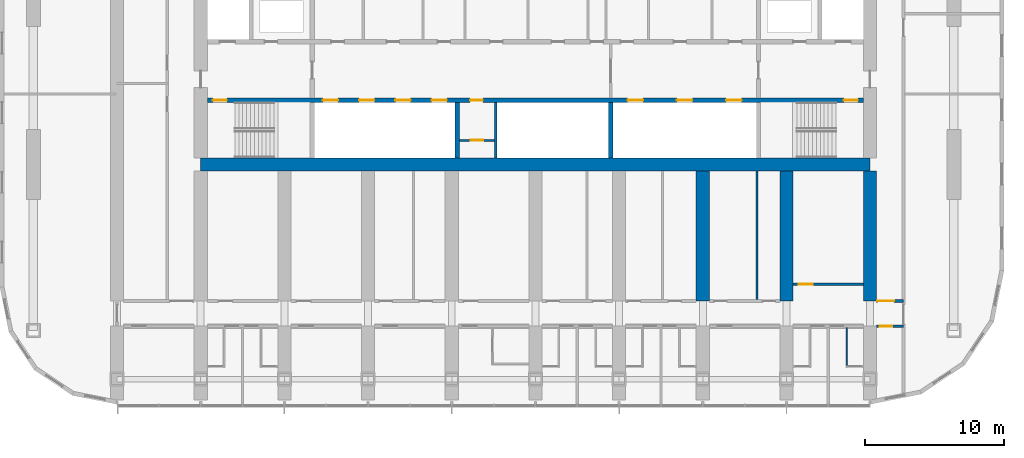
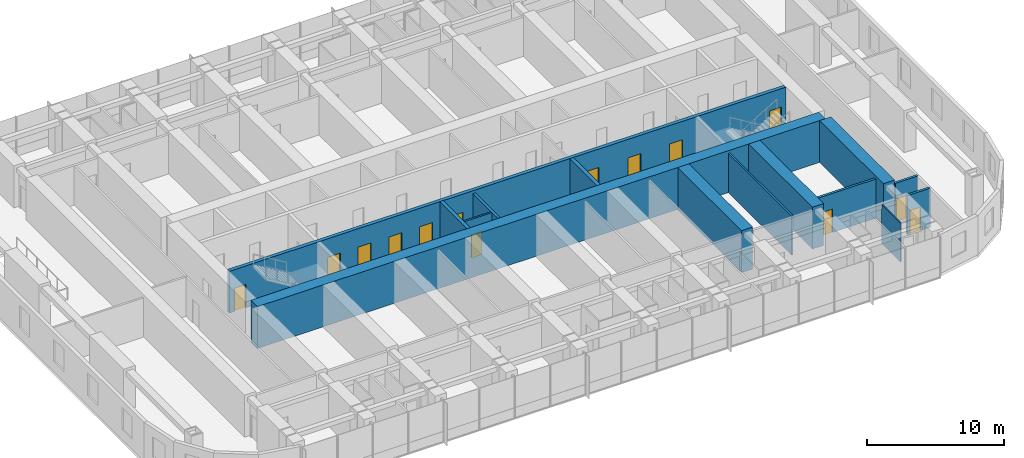
# One storey, part 11 of 21: 14 doors, 14 walls, 14 openings.
"""IFC4 building model written with IfcOpenShell, lengths in metres."""

from ifc_helpers import new_model, si_unit, direction, frame, frame_2d, origin, place, context, subcontext, project, spatial, polyline, rectangle, outline, extrude, material, layer, layer_set, type_object, element, fill, save


model = new_model("IFC4")

# Units and contexts
model_context = context("Model", 3, precision=1e-05, world=origin(), true_north=direction((0.0, 1.0)))
body_context = subcontext(model_context, "Body", "Model", "MODEL_VIEW")
ifc_project = project(units=[si_unit("LENGTHUNIT", "METRE"), si_unit("AREAUNIT", "SQUARE_METRE"), si_unit("VOLUMEUNIT", "CUBIC_METRE"), si_unit("PLANEANGLEUNIT", "RADIAN"), si_unit("MASSUNIT", "GRAM", prefix="KILO")], contexts=[model_context])

# Site, building, storey
site_placement = place(None, origin())
site = spatial("IfcSite", under=ifc_project, at=site_placement, CompositionType="ELEMENT")
building_placement = place(site_placement, origin())
building = spatial("IfcBuilding", under=site, at=building_placement, Name="Orbita Commons", CompositionType="ELEMENT")
storey_placement = place(building_placement, frame((0.0, 0.0, 103.14990234375)))
storey = spatial("IfcBuildingStorey", under=building, at=storey_placement, Name="L25", CompositionType="ELEMENT", Elevation=103.14990234375)

# Wall, openings, doors
ifc_material_1 = material(Name="Concrete C50/60", Category="concrete")
ifc_layer_1 = layer(ifc_material_1, 0.300048828125)
ifc_layer_set_1 = layer_set([ifc_layer_1], Name="Concrete C50/60")
wall_type_1 = type_object("IfcWallType", Name="Core inner wall 300 C50/60", PredefinedType="SHEAR", material=ifc_layer_set_1)
wall_1_placement = place(storey_placement, frame((18.47509765625, 30.39990234375, 0.0), z_axis=(0.0, 0.0, 1.0), x_axis=(1.0, 0.0, 0.0)))
wall_1 = element("IfcWall", 1, at=wall_1_placement, inside=storey, type_object=wall_type_1, Name="Lobby wall south L25", PredefinedType="SHEAR", context=body_context, shape_type="SweptSolid", body=[
    extrude(rectangle(XDim=47.0498046875, YDim=0.300048828125, at=frame_2d((23.52490234375, 0.0))), origin(), (0.0, 0.0, 1.0), 3.75),
])
opening_1_placement = place(wall_1_placement, frame((0.39990234375, 0.0, 0.0)))
opening_1 = element("IfcOpeningElement", 2, at=opening_1_placement, cuts=wall_1, Name="Opening D02", PredefinedType="OPENING", context=body_context, shape_type="SweptSolid", body=[
    extrude(rectangle(XDim=1.0, YDim=2.10009765625, at=frame_2d((0.5, 1.050048828125))), frame((0.0, 0.159912109375, 0.0), z_axis=(0.0, -1.0, 0.0), x_axis=(1.0, 0.0, 0.0)), (0.0, 0.0, 1.0), 0.320068359375),
])
opening_2_placement = place(wall_1_placement, frame((45.64990234375, 0.0, 0.0)))
opening_2 = element("IfcOpeningElement", 3, at=opening_2_placement, cuts=wall_1, Name="Opening D02", PredefinedType="OPENING", context=body_context, shape_type="SweptSolid", body=[
    extrude(rectangle(XDim=1.0, YDim=2.10009765625, at=frame_2d((0.5, 1.050048828125))), frame((0.0, 0.159912109375, 0.0), z_axis=(0.0, -1.0, 0.0), x_axis=(1.0, 0.0, 0.0)), (0.0, 0.0, 1.0), 0.320068359375),
])
opening_3_placement = place(wall_1_placement, frame((8.27490234375, 0.0, 0.0)))
opening_3 = element("IfcOpeningElement", 4, at=opening_3_placement, cuts=wall_1, Name="Opening LD02", PredefinedType="OPENING", context=body_context, shape_type="SweptSolid", body=[
    extrude(rectangle(XDim=1.10009765625, YDim=2.10009765625, at=frame_2d((0.550048828125, 1.050048828125))), frame((0.0, 0.159912109375, 0.0), z_axis=(0.0, -1.0, 0.0), x_axis=(1.0, 0.0, 0.0)), (0.0, 0.0, 1.0), 0.320068359375),
])
opening_4_placement = place(wall_1_placement, frame((10.875, 0.0, 0.0)))
opening_4 = element("IfcOpeningElement", 5, at=opening_4_placement, cuts=wall_1, Name="Opening LD02", PredefinedType="OPENING", context=body_context, shape_type="SweptSolid", body=[
    extrude(rectangle(XDim=1.10009765625, YDim=2.10009765625, at=frame_2d((0.550048828125, 1.050048828125))), frame((0.0, 0.159912109375, 0.0), z_axis=(0.0, -1.0, 0.0), x_axis=(1.0, 0.0, 0.0)), (0.0, 0.0, 1.0), 0.320068359375),
])
opening_5_placement = place(wall_1_placement, frame((13.47509765625, 0.0, 0.0)))
opening_5 = element("IfcOpeningElement", 6, at=opening_5_placement, cuts=wall_1, Name="Opening LD02", PredefinedType="OPENING", context=body_context, shape_type="SweptSolid", body=[
    extrude(rectangle(XDim=1.10009765625, YDim=2.10009765625, at=frame_2d((0.550048828125, 1.050048828125))), frame((0.0, 0.159912109375, 0.0), z_axis=(0.0, -1.0, 0.0), x_axis=(1.0, 0.0, 0.0)), (0.0, 0.0, 1.0), 0.320068359375),
])
opening_6_placement = place(wall_1_placement, frame((16.074951171875, 0.0, 0.0)))
opening_6 = element("IfcOpeningElement", 7, at=opening_6_placement, cuts=wall_1, Name="Opening LD02", PredefinedType="OPENING", context=body_context, shape_type="SweptSolid", body=[
    extrude(rectangle(XDim=1.10009765625, YDim=2.10009765625, at=frame_2d((0.550048828125, 1.050048828125))), frame((0.0, 0.159912109375, 0.0), z_axis=(0.0, -1.0, 0.0), x_axis=(1.0, 0.0, 0.0)), (0.0, 0.0, 1.0), 0.320068359375),
])
opening_7_placement = place(wall_1_placement, frame((18.85009765625, 0.0, 0.0)))
opening_7 = element("IfcOpeningElement", 8, at=opening_7_placement, cuts=wall_1, Name="Opening D05", PredefinedType="OPENING", context=body_context, shape_type="SweptSolid", body=[
    extrude(rectangle(XDim=0.89990234375, YDim=2.10009765625, at=frame_2d((0.449951171875, 1.050048828125))), frame((0.0, 0.159912109375, 0.0), z_axis=(0.0, -1.0, 0.0), x_axis=(1.0, 0.0, 0.0)), (0.0, 0.0, 1.0), 0.320068359375),
])
opening_8_placement = place(wall_1_placement, frame((30.1416015625, 0.0, 0.0)))
opening_8 = element("IfcOpeningElement", 9, at=opening_8_placement, cuts=wall_1, Name="Opening LD02", PredefinedType="OPENING", context=body_context, shape_type="SweptSolid", body=[
    extrude(rectangle(XDim=1.10009765625, YDim=2.10009765625, at=frame_2d((0.550048828125, 1.050048828125))), frame((0.0, 0.159912109375, 0.0), z_axis=(0.0, -1.0, 0.0), x_axis=(1.0, 0.0, 0.0)), (0.0, 0.0, 1.0), 0.320068359375),
])
opening_9_placement = place(wall_1_placement, frame((33.675048828125, 0.0, 0.0)))
opening_9 = element("IfcOpeningElement", 10, at=opening_9_placement, cuts=wall_1, Name="Opening LD02", PredefinedType="OPENING", context=body_context, shape_type="SweptSolid", body=[
    extrude(rectangle(XDim=1.10009765625, YDim=2.10009765625, at=frame_2d((0.550048828125, 1.050048828125))), frame((0.0, 0.159912109375, 0.0), z_axis=(0.0, -1.0, 0.0), x_axis=(1.0, 0.0, 0.0)), (0.0, 0.0, 1.0), 0.320068359375),
])
opening_10_placement = place(wall_1_placement, frame((37.208251953125, 0.0, 0.0)))
opening_10 = element("IfcOpeningElement", 11, at=opening_10_placement, cuts=wall_1, Name="Opening LD02", PredefinedType="OPENING", context=body_context, shape_type="SweptSolid", body=[
    extrude(rectangle(XDim=1.10009765625, YDim=2.10009765625, at=frame_2d((0.550048828125, 1.050048828125))), frame((0.0, 0.159912109375, 0.0), z_axis=(0.0, -1.0, 0.0), x_axis=(1.0, 0.0, 0.0)), (0.0, 0.0, 1.0), 0.320068359375),
])
ifc_material_2 = material(Name="Steel-faced fire door leaf", Category="steel")
door_type_1 = type_object("IfcDoorType", Name="Fire door 90 min 1000x2100", OperationType="SINGLE_SWING_LEFT", PredefinedType="DOOR", material=ifc_material_2)
door_1_placement = place(opening_1_placement, origin())
door_1 = element("IfcDoor", 12, at=door_1_placement, inside=storey, type_object=door_type_1, Name="Stair S1 door", OperationType="SINGLE_SWING_LEFT", OverallHeight=2.10009765625, OverallWidth=1.0, PredefinedType="DOOR", context=body_context, shape_type="SweptSolid", body=[
    extrude(rectangle(XDim=1.0, YDim=2.10009765625, at=frame_2d((0.5, 1.050048828125))), frame((0.0, 0.02490234375, 0.0), z_axis=(0.0, -1.0, 0.0), x_axis=(1.0, 0.0, 0.0)), (0.0, 0.0, 1.0), 0.050048828125),
])
fill(opening_1, door_1)
door_2_placement = place(opening_2_placement, origin())
door_2 = element("IfcDoor", 13, at=door_2_placement, inside=storey, type_object=door_type_1, Name="Stair S2 door", OperationType="SINGLE_SWING_LEFT", OverallHeight=2.10009765625, OverallWidth=1.0, PredefinedType="DOOR", context=body_context, shape_type="SweptSolid", body=[
    extrude(rectangle(XDim=1.0, YDim=2.10009765625, at=frame_2d((0.5, 1.050048828125))), frame((0.0, 0.02490234375, 0.0), z_axis=(0.0, -1.0, 0.0), x_axis=(1.0, 0.0, 0.0)), (0.0, 0.0, 1.0), 0.050048828125),
])
fill(opening_2, door_2)
ifc_material_3 = material(Name="Steel-faced fire door leaf", Category="steel")
door_type_2 = type_object("IfcDoorType", Name="Lift landing door 1100x2100", OperationType="DOUBLE_DOOR_SLIDING", PredefinedType="DOOR", material=ifc_material_3)
door_3_placement = place(opening_3_placement, origin())
door_3 = element("IfcDoor", 14, at=door_3_placement, inside=storey, type_object=door_type_2, Name="Lift P21 landing door", OperationType="DOUBLE_DOOR_SLIDING", OverallHeight=2.10009765625, OverallWidth=1.10009765625, PredefinedType="DOOR", context=body_context, shape_type="SweptSolid", body=[
    extrude(rectangle(XDim=1.10009765625, YDim=2.10009765625, at=frame_2d((0.550048828125, 1.050048828125))), frame((0.0, 0.02490234375, 0.0), z_axis=(0.0, -1.0, 0.0), x_axis=(1.0, 0.0, 0.0)), (0.0, 0.0, 1.0), 0.050048828125),
])
fill(opening_3, door_3)
door_4_placement = place(opening_4_placement, origin())
door_4 = element("IfcDoor", 15, at=door_4_placement, inside=storey, type_object=door_type_2, Name="Lift P22 landing door", OperationType="DOUBLE_DOOR_SLIDING", OverallHeight=2.10009765625, OverallWidth=1.10009765625, PredefinedType="DOOR", context=body_context, shape_type="SweptSolid", body=[
    extrude(rectangle(XDim=1.10009765625, YDim=2.10009765625, at=frame_2d((0.550048828125, 1.050048828125))), frame((0.0, 0.02490234375, 0.0), z_axis=(0.0, -1.0, 0.0), x_axis=(1.0, 0.0, 0.0)), (0.0, 0.0, 1.0), 0.050048828125),
])
fill(opening_4, door_4)
door_5_placement = place(opening_5_placement, origin())
door_5 = element("IfcDoor", 16, at=door_5_placement, inside=storey, type_object=door_type_2, Name="Lift P23 landing door", OperationType="DOUBLE_DOOR_SLIDING", OverallHeight=2.10009765625, OverallWidth=1.10009765625, PredefinedType="DOOR", context=body_context, shape_type="SweptSolid", body=[
    extrude(rectangle(XDim=1.10009765625, YDim=2.10009765625, at=frame_2d((0.550048828125, 1.050048828125))), frame((0.0, 0.02490234375, 0.0), z_axis=(0.0, -1.0, 0.0), x_axis=(1.0, 0.0, 0.0)), (0.0, 0.0, 1.0), 0.050048828125),
])
fill(opening_5, door_5)
door_6_placement = place(opening_6_placement, origin())
door_6 = element("IfcDoor", 17, at=door_6_placement, inside=storey, type_object=door_type_2, Name="Lift P24 landing door", OperationType="DOUBLE_DOOR_SLIDING", OverallHeight=2.10009765625, OverallWidth=1.10009765625, PredefinedType="DOOR", context=body_context, shape_type="SweptSolid", body=[
    extrude(rectangle(XDim=1.10009765625, YDim=2.10009765625, at=frame_2d((0.550048828125, 1.050048828125))), frame((0.0, 0.02490234375, 0.0), z_axis=(0.0, -1.0, 0.0), x_axis=(1.0, 0.0, 0.0)), (0.0, 0.0, 1.0), 0.050048828125),
])
fill(opening_6, door_6)
door_7_placement = place(opening_8_placement, origin())
door_7 = element("IfcDoor", 18, at=door_7_placement, inside=storey, type_object=door_type_2, Name="Lift SV1 landing door", OperationType="DOUBLE_DOOR_SLIDING", OverallHeight=2.10009765625, OverallWidth=1.10009765625, PredefinedType="DOOR", context=body_context, shape_type="SweptSolid", body=[
    extrude(rectangle(XDim=1.10009765625, YDim=2.10009765625, at=frame_2d((0.550048828125, 1.050048828125))), frame((0.0, 0.02490234375, 0.0), z_axis=(0.0, -1.0, 0.0), x_axis=(1.0, 0.0, 0.0)), (0.0, 0.0, 1.0), 0.050048828125),
])
fill(opening_8, door_7)
door_8_placement = place(opening_9_placement, origin())
door_8 = element("IfcDoor", 19, at=door_8_placement, inside=storey, type_object=door_type_2, Name="Lift SV2 landing door", OperationType="DOUBLE_DOOR_SLIDING", OverallHeight=2.10009765625, OverallWidth=1.10009765625, PredefinedType="DOOR", context=body_context, shape_type="SweptSolid", body=[
    extrude(rectangle(XDim=1.10009765625, YDim=2.10009765625, at=frame_2d((0.550048828125, 1.050048828125))), frame((0.0, 0.02490234375, 0.0), z_axis=(0.0, -1.0, 0.0), x_axis=(1.0, 0.0, 0.0)), (0.0, 0.0, 1.0), 0.050048828125),
])
fill(opening_9, door_8)
door_9_placement = place(opening_10_placement, origin())
door_9 = element("IfcDoor", 20, at=door_9_placement, inside=storey, type_object=door_type_2, Name="Lift SV3 landing door", OperationType="DOUBLE_DOOR_SLIDING", OverallHeight=2.10009765625, OverallWidth=1.10009765625, PredefinedType="DOOR", context=body_context, shape_type="SweptSolid", body=[
    extrude(rectangle(XDim=1.10009765625, YDim=2.10009765625, at=frame_2d((0.550048828125, 1.050048828125))), frame((0.0, 0.02490234375, 0.0), z_axis=(0.0, -1.0, 0.0), x_axis=(1.0, 0.0, 0.0)), (0.0, 0.0, 1.0), 0.050048828125),
])
fill(opening_10, door_9)
ifc_material_4 = material(Name="Steel-faced fire door leaf", Category="steel")
door_type_3 = type_object("IfcDoorType", Name="Service door 20 min 900x2100", OperationType="SINGLE_SWING_LEFT", PredefinedType="DOOR", material=ifc_material_4)
door_10_placement = place(opening_7_placement, origin())
door_10 = element("IfcDoor", 21, at=door_10_placement, inside=storey, type_object=door_type_3, Name="Telecoms room door", OperationType="SINGLE_SWING_LEFT", OverallHeight=2.10009765625, OverallWidth=0.89990234375, PredefinedType="DOOR", context=body_context, shape_type="SweptSolid", body=[
    extrude(rectangle(XDim=0.89990234375, YDim=2.10009765625, at=frame_2d((0.449951171875, 1.050048828125))), frame((0.0, 0.02490234375, 0.0), z_axis=(0.0, -1.0, 0.0), x_axis=(1.0, 0.0, 0.0)), (0.0, 0.0, 1.0), 0.050048828125),
])
fill(opening_7, door_10)

# Walls
for number, where, z_axis, x_axis, name in (
    (22, (36.39990234375, 26.27490234375, 0.0), (0.0, 0.0, 1.0), (0.0, 1.0, 0.0), "Hoistway division wall L25"),
    (23, (47.39990234375, 26.27490234375, 0.0), (0.0, 0.0, 1.0), (0.0, 1.0, 0.0), "Hoistway division wall L25"),
):
    element("IfcWall", number, at=place(storey_placement, frame(where, z_axis=z_axis, x_axis=x_axis)), inside=storey, type_object=wall_type_1, Name=name, PredefinedType="SHEAR", context=body_context, shape_type="SweptSolid", body=[
        extrude(rectangle(XDim=3.97509765625, YDim=0.300048828125, at=frame_2d((1.987548828125, 0.0))), origin(), (0.0, 0.0, 1.0), 3.75),
    ])

# Wall, opening, door
ifc_material_5 = material(Name="Concrete blockwork", Category="masonry")
ifc_layer_2 = layer(ifc_material_5, 0.14990234375)
ifc_layer_set_2 = layer_set([ifc_layer_2], Name="Concrete blockwork")
wall_type_2 = type_object("IfcWallType", Name="Core partition 150 blockwork", PredefinedType="SOLIDWALL", material=ifc_layer_set_2)
wall_2_placement = place(storey_placement, frame((36.550048828125, 27.52490234375, 0.0), z_axis=(0.0, 0.0, 1.0), x_axis=(1.0, 0.0, 0.0)))
wall_2 = element("IfcWall", 24, at=wall_2_placement, inside=storey, type_object=wall_type_2, Name="Core partition 150 blockwork L25", PredefinedType="SOLIDWALL", context=body_context, shape_type="SweptSolid", body=[
    extrude(rectangle(XDim=2.5, YDim=0.14990234375, at=frame_2d((1.25, 0.0))), origin(), (0.0, 0.0, 1.0), 3.5),
])
opening_11_placement = place(wall_2_placement, frame((0.800048828125, 0.0, 0.0)))
opening_11 = element("IfcOpeningElement", 25, at=opening_11_placement, cuts=wall_2, Name="Opening D05", PredefinedType="OPENING", context=body_context, shape_type="SweptSolid", body=[
    extrude(rectangle(XDim=0.89990234375, YDim=2.10009765625, at=frame_2d((0.449951171875, 1.050048828125))), frame((0.0, 0.0849609375, 0.0), z_axis=(0.0, -1.0, 0.0), x_axis=(1.0, 0.0, 0.0)), (0.0, 0.0, 1.0), 0.169921875),
])
door_11_placement = place(opening_11_placement, origin())
door_11 = element("IfcDoor", 26, at=door_11_placement, inside=storey, type_object=door_type_3, Name="Cupboard door off Telecoms room", OperationType="SINGLE_SWING_LEFT", OverallHeight=2.10009765625, OverallWidth=0.89990234375, PredefinedType="DOOR", context=body_context, shape_type="SweptSolid", body=[
    extrude(rectangle(XDim=0.89990234375, YDim=2.10009765625, at=frame_2d((0.449951171875, 1.050048828125))), frame((0.0, 0.02490234375, 0.0), z_axis=(0.0, -1.0, 0.0), x_axis=(1.0, 0.0, 0.0)), (0.0, 0.0, 1.0), 0.050048828125),
])
fill(opening_11, door_11)

# Wall
ifc_material_6 = material(Name="Concrete C50/60", Category="concrete")
ifc_layer_3 = layer(ifc_material_6, 0.949951171875)
ifc_layer_set_3 = layer_set([ifc_layer_3], Name="Concrete C50/60")
wall_type_3 = type_object("IfcWallType", Name="Core wall 950 C50/60", PredefinedType="SHEAR", material=ifc_layer_set_3)
wall_3_placement = place(storey_placement, frame((18.0, 25.800048828125, 0.0), z_axis=(0.0, 0.0, 1.0), x_axis=(1.0, 0.0, 0.0)))
element("IfcWall", 27, at=wall_3_placement, inside=storey, type_object=wall_type_3, Name="Core spine wall south L25", PredefinedType="SHEAR", context=body_context, shape_type="SweptSolid", body=[
    extrude(rectangle(XDim=48.0, YDim=0.949951171875, at=frame_2d((24.0, 0.0))), origin(), (0.0, 0.0, 1.0), 3.75),
])

# Wall, opening, door
ifc_material_7 = material(Name="Concrete blockwork", Category="masonry")
ifc_layer_4 = layer(ifc_material_7, 0.199951171875)
ifc_layer_set_4 = layer_set([ifc_layer_4], Name="Concrete blockwork")
wall_type_4 = type_object("IfcWallType", Name="Corridor wall 200 blockwork", PredefinedType="SOLIDWALL", material=ifc_layer_set_4)
wall_4_placement = place(storey_placement, frame((66.47509765625, 14.199951171875, 0.0), z_axis=(0.0, 0.0, 1.0), x_axis=(1.0, 0.0, 0.0)))
wall_4 = element("IfcWall", 28, at=wall_4_placement, inside=storey, type_object=wall_type_4, Name="Corridor wall 200 blockwork L25", PredefinedType="SOLIDWALL", context=body_context, shape_type="SweptSolid", body=[
    extrude(rectangle(XDim=1.9248046875, YDim=0.199951171875, at=frame_2d((0.96240234375, 0.0))), origin(), (0.0, 0.0, 1.0), 3.5),
])
opening_12_placement = place(wall_4_placement, frame((0.199951171875, 0.0, 0.0)))
opening_12 = element("IfcOpeningElement", 29, at=opening_12_placement, cuts=wall_4, Name="Opening D05", PredefinedType="OPENING", context=body_context, shape_type="SweptSolid", body=[
    extrude(rectangle(XDim=0.89990234375, YDim=2.10009765625, at=frame_2d((0.449951171875, 1.050048828125))), frame((0.0, 0.10986328125, 0.0), z_axis=(0.0, -1.0, 0.0), x_axis=(1.0, 0.0, 0.0)), (0.0, 0.0, 1.0), 0.219970703125),
])
door_12_placement = place(opening_12_placement, origin())
door_12 = element("IfcDoor", 30, at=door_12_placement, inside=storey, type_object=door_type_3, Name="Linen store L25-KES door", OperationType="SINGLE_SWING_LEFT", OverallHeight=2.10009765625, OverallWidth=0.89990234375, PredefinedType="DOOR", context=body_context, shape_type="SweptSolid", body=[
    extrude(rectangle(XDim=0.89990234375, YDim=2.10009765625, at=frame_2d((0.449951171875, 1.050048828125))), frame((0.0, 0.02490234375, 0.0), z_axis=(0.0, -1.0, 0.0), x_axis=(1.0, 0.0, 0.0)), (0.0, 0.0, 1.0), 0.050048828125),
])
fill(opening_12, door_12)

ifc_material_8 = material(Name="Hollow concrete block 200", Category="concrete")
ifc_layer_5 = layer(ifc_material_8, 0.199951171875)
ifc_layer_set_5 = layer_set([ifc_layer_5], Name="Hollow concrete block 200")
wall_type_5 = type_object("IfcWallType", Name="Corridor wall 200 hollow concrete block", PredefinedType="SOLIDWALL", material=ifc_layer_set_5)
wall_5_placement = place(storey_placement, frame((66.47509765625, 16.0, 0.0), z_axis=(0.0, 0.0, 1.0), x_axis=(1.0, 0.0, 0.0)))
wall_5 = element("IfcWall", 31, at=wall_5_placement, inside=storey, type_object=wall_type_5, Name="Corridor wall 200 hollow concrete block L25", PredefinedType="SOLIDWALL", context=body_context, shape_type="SweptSolid", body=[
    extrude(rectangle(XDim=1.9248046875, YDim=0.199951171875, at=frame_2d((0.96240234375, 0.0))), origin(), (0.0, 0.0, 1.0), 3.5),
])
opening_13_placement = place(wall_5_placement, frame((0.050048828125, 0.0, 0.0)))
opening_13 = element("IfcOpeningElement", 32, at=opening_13_placement, cuts=wall_5, Name="Opening D12", PredefinedType="OPENING", context=body_context, shape_type="SweptSolid", body=[
    extrude(rectangle(XDim=1.199951171875, YDim=2.10009765625, at=frame_2d((0.60009765625, 1.050048828125))), frame((0.0, 0.10986328125, 0.0), z_axis=(0.0, -1.0, 0.0), x_axis=(1.0, 0.0, 0.0)), (0.0, 0.0, 1.0), 0.219970703125),
])
ifc_material_9 = material(Name="Steel-faced fire door leaf", Category="steel")
door_type_4 = type_object("IfcDoorType", Name="Double corridor door 20 min 1200x2100", OperationType="DOUBLE_DOOR_SINGLE_SWING", PredefinedType="DOOR", material=ifc_material_9)
door_13_placement = place(opening_13_placement, origin())
door_13 = element("IfcDoor", 33, at=door_13_placement, inside=storey, type_object=door_type_4, Name="Cross corridor doors", OperationType="DOUBLE_DOOR_SINGLE_SWING", OverallHeight=2.10009765625, OverallWidth=1.199951171875, PredefinedType="DOOR", context=body_context, shape_type="SweptSolid", body=[
    extrude(rectangle(XDim=1.199951171875, YDim=2.10009765625, at=frame_2d((0.60009765625, 1.050048828125))), frame((0.0, 0.02490234375, 0.0), z_axis=(0.0, -1.0, 0.0), x_axis=(1.0, 0.0, 0.0)), (0.0, 0.0, 1.0), 0.050048828125),
])
fill(opening_13, door_13)

wall_6_placement = place(storey_placement, frame((60.47509765625, 17.199951171875, 0.0), z_axis=(0.0, 0.0, 1.0), x_axis=(1.0, 0.0, 0.0)))
wall_6 = element("IfcWall", 34, at=wall_6_placement, inside=storey, type_object=wall_type_5, Name="Corridor wall 200 hollow concrete block L25", PredefinedType="SOLIDWALL", context=body_context, shape_type="SweptSolid", body=[
    extrude(rectangle(XDim=5.0498046875, YDim=0.199951171875, at=frame_2d((2.52490234375, 0.0))), origin(), (0.0, 0.0, 1.0), 3.5),
])
opening_14_placement = place(wall_6_placement, frame((0.39990234375, 0.0, 0.0)))
opening_14 = element("IfcOpeningElement", 35, at=opening_14_placement, cuts=wall_6, Name="Opening D06", PredefinedType="OPENING", context=body_context, shape_type="SweptSolid", body=[
    extrude(rectangle(XDim=1.0, YDim=2.10009765625, at=frame_2d((0.5, 1.050048828125))), frame((0.0, 0.10986328125, 0.0), z_axis=(0.0, -1.0, 0.0), x_axis=(1.0, 0.0, 0.0)), (0.0, 0.0, 1.0), 0.219970703125),
])
ifc_material_10 = material(Name="Steel-faced fire door leaf", Category="steel")
door_type_5 = type_object("IfcDoorType", Name="Corridor door 20 min 1000x2100", OperationType="SINGLE_SWING_LEFT", PredefinedType="DOOR", material=ifc_material_10)
door_14_placement = place(opening_14_placement, origin())
door_14 = element("IfcDoor", 36, at=door_14_placement, inside=storey, type_object=door_type_5, Name="Cleaners store L25-BDS60 door", OperationType="SINGLE_SWING_LEFT", OverallHeight=2.10009765625, OverallWidth=1.0, PredefinedType="DOOR", context=body_context, shape_type="SweptSolid", body=[
    extrude(rectangle(XDim=1.0, YDim=2.10009765625, at=frame_2d((0.5, 1.050048828125))), frame((0.0, 0.02490234375, 0.0), z_axis=(0.0, -1.0, 0.0), x_axis=(1.0, 0.0, 0.0)), (0.0, 0.0, 1.0), 0.050048828125),
])
fill(opening_14, door_14)

# Walls
ifc_material_11 = material(Name="Concrete C50/60", Category="concrete")
ifc_layer_6 = layer(ifc_material_11, 0.949951171875)
ifc_layer_set_6 = layer_set([ifc_layer_6], Name="Concrete C50/60")
wall_type_6 = type_object("IfcWallType", Name="Cross wall 950 C50/60", PredefinedType="SHEAR", material=ifc_layer_set_6)
for number, where, z_axis, x_axis, name in (
    (37, (54.0, 16.0, 0.0), (0.0, 0.0, 1.0), (0.0, 1.0, 0.0), "Cross wall 10 south inner L25"),
    (38, (60.0, 16.0, 0.0), (0.0, 0.0, 1.0), (0.0, 1.0, 0.0), "Cross wall 11 south inner L25"),
    (39, (66.0, 16.0, 0.0), (0.0, 0.0, 1.0), (0.0, 1.0, 0.0), "Cross wall 12 south inner L25"),
):
    element("IfcWall", number, at=place(storey_placement, frame(where, z_axis=z_axis, x_axis=x_axis)), inside=storey, type_object=wall_type_6, Name=name, PredefinedType="SHEAR", context=body_context, shape_type="SweptSolid", body=[
        extrude(rectangle(XDim=9.324951171875, YDim=0.949951171875, at=frame_2d((4.66259765625, 0.0))), origin(), (0.0, 0.0, 1.0), 3.75),
    ])
ifc_material_12 = material(Name="Moisture-resistant plasterboard on steel studs", Category="steel")
ifc_layer_7 = layer(ifc_material_12, 0.10009765625)
ifc_layer_set_7 = layer_set([ifc_layer_7], Name="Moisture-resistant plasterboard on steel studs")
wall_type_7 = type_object("IfcWallType", Name="En-suite partition 100", PredefinedType="PARTITIONING", material=ifc_layer_set_7)
wall_7_placement = place(storey_placement, frame((64.324951171875, 11.35009765625, 0.0), z_axis=(0.0, 0.0, 1.0), x_axis=(0.0, 1.0, 0.0)))
element("IfcWall", 40, at=wall_7_placement, inside=storey, type_object=wall_type_7, Name="En-suite partition 100 L25", PredefinedType="PARTITIONING", context=body_context, shape_type="SweptSolid", body=[
    extrude(outline(polyline([(0.0, 0.0), (2.75, 0.0), (2.75, 3.10009765625), (2.701904296875, 3.10009765625), (2.699951171875, 3.5), (0.0, 3.5), (0.0, 0.0)])), frame((0.0, 0.050048828125, 0.0), z_axis=(0.0, -1.0, 0.0), x_axis=(1.0, 0.0, 0.0)), (0.0, 0.0, 1.0), 0.10009765625),
])
ifc_material_13 = material(Name="Gypsum plasterboard on steel studs", Category="steel")
ifc_layer_8 = layer(ifc_material_13, 0.14990234375)
ifc_layer_set_8 = layer_set([ifc_layer_8], Name="Gypsum plasterboard on steel studs")
wall_type_8 = type_object("IfcWallType", Name="Partition 150 plasterboard", PredefinedType="PARTITIONING", material=ifc_layer_set_8)
wall_8_placement = place(storey_placement, frame((57.885009765625, 16.10009765625, 0.0), z_axis=(0.0, 0.0, 1.0), x_axis=(0.0, 1.0, 0.0)))
element("IfcWall", 41, at=wall_8_placement, inside=storey, type_object=wall_type_8, Name="Partition 150 plasterboard L25", PredefinedType="PARTITIONING", context=body_context, shape_type="SweptSolid", body=[
    extrude(rectangle(XDim=9.224853515625, YDim=0.14990234375, at=frame_2d((4.6123046875, 0.0))), origin(), (0.0, 0.0, 1.0), 3.5),
])
ifc_material_14 = material(Name="Concrete blockwork, fully filled", Category="masonry")
ifc_layer_9 = layer(ifc_material_14, 0.199951171875)
ifc_layer_set_9 = layer_set([ifc_layer_9], Name="Concrete blockwork, fully filled")
wall_type_9 = type_object("IfcWallType", Name="Shaft partition 200 blockwork", PredefinedType="SOLIDWALL", material=ifc_layer_set_9)
wall_9_placement = place(storey_placement, frame((39.14990234375, 26.27490234375, 0.0), z_axis=(0.0, 0.0, 1.0), x_axis=(0.0, 1.0, 0.0)))
element("IfcWall", 42, at=wall_9_placement, inside=storey, type_object=wall_type_9, Name="Shaft partition 200 blockwork L25", PredefinedType="SOLIDWALL", context=body_context, shape_type="SweptSolid", body=[
    extrude(rectangle(XDim=3.97509765625, YDim=0.199951171875, at=frame_2d((1.987548828125, 0.0))), origin(), (0.0, 0.0, 1.0), 3.5),
])

save(model, "model.ifc")
